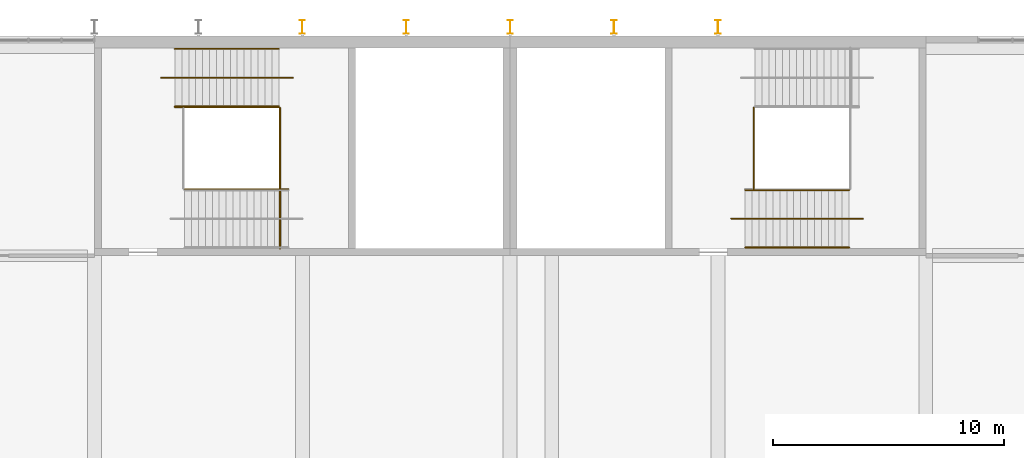
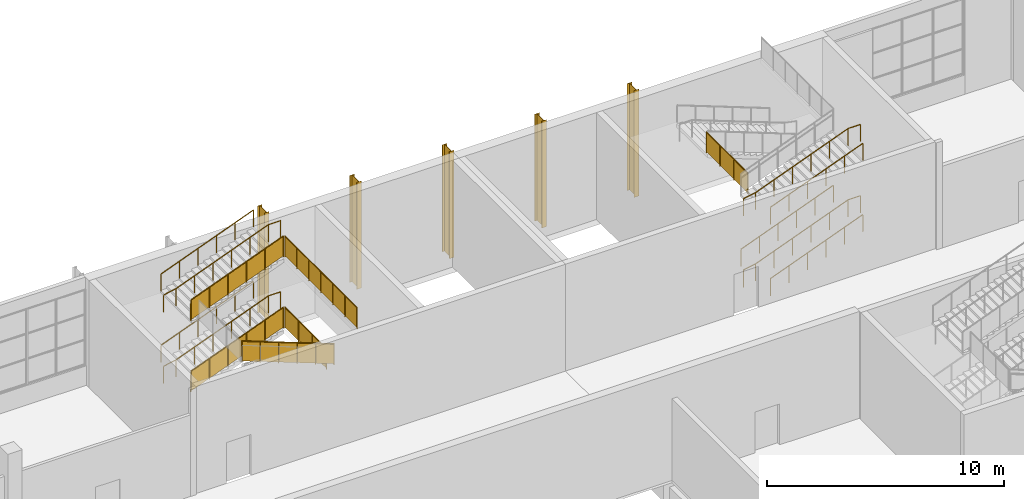
# One storey, part 77 of 84: 17 railings, 5 shading devices.
"""IFC4 building model written with IfcOpenShell, lengths in metres."""

from ifc_helpers import new_model, si_unit, direction, frame, origin, origin_2d, place, context, subcontext, project, spatial, polyline, circle, i_section, outline, extrude, material, material_profile, profile_set, type_object, element, save


model = new_model("IFC4")

# Units and contexts
model_context = context("Model", 3, precision=1e-05, world=origin(), true_north=direction((0.0, 1.0)))
body_context = subcontext(model_context, "Body", "Model", "MODEL_VIEW")
ifc_project = project(units=[si_unit("LENGTHUNIT", "METRE"), si_unit("AREAUNIT", "SQUARE_METRE"), si_unit("VOLUMEUNIT", "CUBIC_METRE"), si_unit("PLANEANGLEUNIT", "RADIAN"), si_unit("MASSUNIT", "GRAM", prefix="KILO")], contexts=[model_context])

# Site, building, storey
site_placement = place(None, origin())
site = spatial("IfcSite", under=ifc_project, at=site_placement, CompositionType="ELEMENT")
building_placement = place(site_placement, origin())
building = spatial("IfcBuilding", under=site, at=building_placement, Name="Silverbay Arena", CompositionType="ELEMENT")
storey_placement = place(building_placement, frame((0.0, 0.0, 28.0)))
storey = spatial("IfcBuildingStorey", under=building, at=storey_placement, Name="L04", CompositionType="ELEMENT", Elevation=28.0)

# Railings
ifc_material_1 = material(Name="Stainless steel", Category="steel")
railing_type_1 = type_object("IfcRailingType", Name="Stair guard 1100", PredefinedType="GUARDRAIL", material=ifc_material_1)
railing_1_placement = place(storey_placement, frame((147.4794921875, 141.425048828125, 0.114501953125)))
element("IfcRailing", 1, at=railing_1_placement, inside=storey, type_object=railing_type_1, Name="Stair ST-N3 L04 to L05 flight 1 guard left", PredefinedType="GUARDRAIL", context=body_context, shape_type="SweptSolid", body=[
    extrude(circle(Radius=0.02392578125, at=origin_2d()), frame((0.0, 0.0, 1.076171875), z_axis=(0.93417907455, 0.0, 0.356804507641), x_axis=(0.0, 1.0, 0.0)), (0.0, 0.0, 1.0), 4.817138671875),
    extrude(outline(polyline([(-0.008056640625, 0.046875), (0.907958984375, 0.396728515625), (0.907958984375, 1.39990234375), (-0.008056640625, 1.050048828125), (-0.008056640625, 0.046875)])), frame((0.0, 0.0029296875, 0.0), z_axis=(0.0, -1.0, 0.0), x_axis=(1.0, 0.0, 0.0)), (0.0, 0.0, 1.0), 0.006103515625),
    extrude(outline(polyline([(-0.008056640625, 0.390625), (0.907958984375, 0.740478515625), (0.907958984375, 1.74365234375), (-0.008056640625, 1.393798828125), (-0.008056640625, 0.390625)])), frame((0.89990234375, 0.0029296875, 0.0), z_axis=(0.0, -1.0, 0.0), x_axis=(1.0, 0.0, 0.0)), (0.0, 0.0, 1.0), 0.006103515625),
    extrude(outline(polyline([(-0.008056640625, 0.734375), (0.907958984375, 1.084228515625), (0.907958984375, 2.08740234375), (-0.008056640625, 1.737548828125), (-0.008056640625, 0.734375)])), frame((1.800048828125, 0.0029296875, 0.0), z_axis=(0.0, -1.0, 0.0), x_axis=(1.0, 0.0, 0.0)), (0.0, 0.0, 1.0), 0.006103515625),
    extrude(outline(polyline([(-0.008056640625, 1.078125), (0.907958984375, 1.427978515625), (0.907958984375, 2.43115234375), (-0.008056640625, 2.081298828125), (-0.008056640625, 1.078125)])), frame((2.699951171875, 0.0029296875, 0.0), z_axis=(0.0, -1.0, 0.0), x_axis=(1.0, 0.0, 0.0)), (0.0, 0.0, 1.0), 0.006103515625),
    extrude(outline(polyline([(-0.008056640625, 1.421875), (0.907958984375, 1.771728515625), (0.907958984375, 2.77490234375), (-0.008056640625, 2.425048828125), (-0.008056640625, 1.421875)])), frame((3.60009765625, 0.0029296875, 0.0), z_axis=(0.0, -1.0, 0.0), x_axis=(1.0, 0.0, 0.0)), (0.0, 0.0, 1.0), 0.006103515625),
    extrude(circle(Radius=0.02099609375, at=origin_2d()), origin(), (0.0, 0.0, 1.0), 1.052001953125),
    extrude(circle(Radius=0.02099609375, at=origin_2d()), frame((0.89990234375, 0.0, 0.34375)), (0.0, 0.0, 1.0), 1.052001953125),
    extrude(circle(Radius=0.02099609375, at=origin_2d()), frame((1.800048828125, 0.0, 0.6875)), (0.0, 0.0, 1.0), 1.052001953125),
    extrude(circle(Radius=0.02099609375, at=origin_2d()), frame((2.699951171875, 0.0, 1.03125)), (0.0, 0.0, 1.0), 1.052001953125),
    extrude(circle(Radius=0.02099609375, at=origin_2d()), frame((3.60009765625, 0.0, 1.375)), (0.0, 0.0, 1.0), 1.052001953125),
    extrude(circle(Radius=0.02099609375, at=origin_2d()), frame((4.5, 0.0, 1.71875)), (0.0, 0.0, 1.0), 1.052001953125),
])
railing_2_placement = place(storey_placement, frame((152.39990234375, 137.875, 1.947998046875)))
element("IfcRailing", 2, at=railing_2_placement, inside=storey, type_object=railing_type_1, Name="Stair ST-N3 L04 to L05 flight 2 guard right", PredefinedType="GUARDRAIL", context=body_context, shape_type="SweptSolid", body=[
    extrude(circle(Radius=0.02392578125, at=origin_2d()), frame((0.0, 0.0, 1.076171875), z_axis=(-0.93417907455, 0.0, 0.356804507641), x_axis=(0.0, -1.0, 0.0)), (0.0, 0.0, 1.0), 4.817138671875),
    extrude(outline(polyline([(-0.008056640625, 0.046875), (0.907958984375, 0.396728515625), (0.907958984375, 1.39990234375), (-0.008056640625, 1.050048828125), (-0.008056640625, 0.046875)])), frame((0.0, -0.0029296875, 0.0), z_axis=(0.0, 1.0, 0.0), x_axis=(-1.0, 0.0, 0.0)), (0.0, 0.0, 1.0), 0.006103515625),
    extrude(outline(polyline([(-0.008056640625, 0.390625), (0.907958984375, 0.740478515625), (0.907958984375, 1.74365234375), (-0.008056640625, 1.393798828125), (-0.008056640625, 0.390625)])), frame((-0.89990234375, -0.0029296875, 0.0), z_axis=(0.0, 1.0, 0.0), x_axis=(-1.0, 0.0, 0.0)), (0.0, 0.0, 1.0), 0.006103515625),
    extrude(outline(polyline([(-0.008056640625, 0.734375), (0.907958984375, 1.084228515625), (0.907958984375, 2.08740234375), (-0.008056640625, 1.737548828125), (-0.008056640625, 0.734375)])), frame((-1.800048828125, -0.0029296875, 0.0), z_axis=(0.0, 1.0, 0.0), x_axis=(-1.0, 0.0, 0.0)), (0.0, 0.0, 1.0), 0.006103515625),
    extrude(outline(polyline([(-0.008056640625, 1.078125), (0.907958984375, 1.427978515625), (0.907958984375, 2.43115234375), (-0.008056640625, 2.081298828125), (-0.008056640625, 1.078125)])), frame((-2.699951171875, -0.0029296875, 0.0), z_axis=(0.0, 1.0, 0.0), x_axis=(-1.0, 0.0, 0.0)), (0.0, 0.0, 1.0), 0.006103515625),
    extrude(outline(polyline([(-0.008056640625, 1.421875), (0.907958984375, 1.771728515625), (0.907958984375, 2.77490234375), (-0.008056640625, 2.425048828125), (-0.008056640625, 1.421875)])), frame((-3.60009765625, -0.0029296875, 0.0), z_axis=(0.0, 1.0, 0.0), x_axis=(-1.0, 0.0, 0.0)), (0.0, 0.0, 1.0), 0.006103515625),
    extrude(circle(Radius=0.02099609375, at=origin_2d()), origin(), (0.0, 0.0, 1.0), 1.052001953125),
    extrude(circle(Radius=0.02099609375, at=origin_2d()), frame((-0.89990234375, 0.0, 0.34375)), (0.0, 0.0, 1.0), 1.052001953125),
    extrude(circle(Radius=0.02099609375, at=origin_2d()), frame((-1.800048828125, 0.0, 0.6875)), (0.0, 0.0, 1.0), 1.052001953125),
    extrude(circle(Radius=0.02099609375, at=origin_2d()), frame((-2.699951171875, 0.0, 1.03125)), (0.0, 0.0, 1.0), 1.052001953125),
    extrude(circle(Radius=0.02099609375, at=origin_2d()), frame((-3.60009765625, 0.0, 1.375)), (0.0, 0.0, 1.0), 1.052001953125),
    extrude(circle(Radius=0.02099609375, at=origin_2d()), frame((-4.5, 0.0, 1.71875)), (0.0, 0.0, 1.0), 1.052001953125),
])
railing_3_placement = place(storey_placement, frame((147.4794921875, 141.425048828125, 3.78125)))
element("IfcRailing", 3, at=railing_3_placement, inside=storey, type_object=railing_type_1, Name="Stair ST-N3 L04 to L05 flight 3 guard left", PredefinedType="GUARDRAIL", context=body_context, shape_type="SweptSolid", body=[
    extrude(circle(Radius=0.02392578125, at=origin_2d()), frame((0.0, 0.0, 1.076171875), z_axis=(0.93417907455, 0.0, 0.356804507641), x_axis=(0.0, 1.0, 0.0)), (0.0, 0.0, 1.0), 4.817138671875),
    extrude(outline(polyline([(-0.008056640625, 0.046875), (0.907958984375, 0.396728515625), (0.907958984375, 1.39990234375), (-0.008056640625, 1.050048828125), (-0.008056640625, 0.046875)])), frame((0.0, 0.0029296875, 0.0), z_axis=(0.0, -1.0, 0.0), x_axis=(1.0, 0.0, 0.0)), (0.0, 0.0, 1.0), 0.006103515625),
    extrude(outline(polyline([(-0.008056640625, 0.390625), (0.907958984375, 0.740478515625), (0.907958984375, 1.74365234375), (-0.008056640625, 1.393798828125), (-0.008056640625, 0.390625)])), frame((0.89990234375, 0.0029296875, 0.0), z_axis=(0.0, -1.0, 0.0), x_axis=(1.0, 0.0, 0.0)), (0.0, 0.0, 1.0), 0.006103515625),
    extrude(outline(polyline([(-0.008056640625, 0.734375), (0.907958984375, 1.084228515625), (0.907958984375, 2.08740234375), (-0.008056640625, 1.737548828125), (-0.008056640625, 0.734375)])), frame((1.800048828125, 0.0029296875, 0.0), z_axis=(0.0, -1.0, 0.0), x_axis=(1.0, 0.0, 0.0)), (0.0, 0.0, 1.0), 0.006103515625),
    extrude(outline(polyline([(-0.008056640625, 1.078125), (0.907958984375, 1.427978515625), (0.907958984375, 2.43115234375), (-0.008056640625, 2.081298828125), (-0.008056640625, 1.078125)])), frame((2.699951171875, 0.0029296875, 0.0), z_axis=(0.0, -1.0, 0.0), x_axis=(1.0, 0.0, 0.0)), (0.0, 0.0, 1.0), 0.006103515625),
    extrude(outline(polyline([(-0.008056640625, 1.421875), (0.907958984375, 1.771728515625), (0.907958984375, 2.77490234375), (-0.008056640625, 2.425048828125), (-0.008056640625, 1.421875)])), frame((3.60009765625, 0.0029296875, 0.0), z_axis=(0.0, -1.0, 0.0), x_axis=(1.0, 0.0, 0.0)), (0.0, 0.0, 1.0), 0.006103515625),
    extrude(circle(Radius=0.02099609375, at=origin_2d()), origin(), (0.0, 0.0, 1.0), 1.052001953125),
    extrude(circle(Radius=0.02099609375, at=origin_2d()), frame((0.89990234375, 0.0, 0.34375)), (0.0, 0.0, 1.0), 1.052001953125),
    extrude(circle(Radius=0.02099609375, at=origin_2d()), frame((1.800048828125, 0.0, 0.6875)), (0.0, 0.0, 1.0), 1.052001953125),
    extrude(circle(Radius=0.02099609375, at=origin_2d()), frame((2.699951171875, 0.0, 1.03125)), (0.0, 0.0, 1.0), 1.052001953125),
    extrude(circle(Radius=0.02099609375, at=origin_2d()), frame((3.60009765625, 0.0, 1.375)), (0.0, 0.0, 1.0), 1.052001953125),
    extrude(circle(Radius=0.02099609375, at=origin_2d()), frame((4.5, 0.0, 1.71875)), (0.0, 0.0, 1.0), 1.052001953125),
])
railing_4_placement = place(storey_placement, frame((152.029541015625, 137.89990234375, 1.833251953125)))
element("IfcRailing", 4, at=railing_4_placement, inside=storey, type_object=railing_type_1, Name="Stair ST-N3 L04 to L05 landing 1 guard", PredefinedType="GUARDRAIL", context=body_context, shape_type="SweptSolid", body=[
    extrude(circle(Radius=0.02392578125, at=origin_2d()), frame((0.0, 0.0, 1.076171875), z_axis=(0.0, 1.0, 0.0), x_axis=(-1.0, 0.0, 0.0)), (0.0, 0.0, 1.0), 3.5),
    extrude(outline(polyline([(-0.008056640625, 0.050048828125), (1.174560546875, 0.050048828125), (1.174560546875, 1.052978515625), (-0.008056640625, 1.052978515625), (-0.008056640625, 0.050048828125)])), frame((-0.0029296875, 0.0, 0.0), z_axis=(1.0, 0.0, 0.0), x_axis=(0.0, 1.0, 0.0)), (0.0, 0.0, 1.0), 0.006103515625),
    extrude(outline(polyline([(-0.008056640625, 0.050048828125), (1.174560546875, 0.050048828125), (1.174560546875, 1.052978515625), (-0.008056640625, 1.052978515625), (-0.008056640625, 0.050048828125)])), frame((-0.0029296875, 1.166748046875, 0.0), z_axis=(1.0, 0.0, 0.0), x_axis=(0.0, 1.0, 0.0)), (0.0, 0.0, 1.0), 0.006103515625),
    extrude(outline(polyline([(-0.008056640625, 0.050048828125), (1.174560546875, 0.050048828125), (1.174560546875, 1.052978515625), (-0.008056640625, 1.052978515625), (-0.008056640625, 0.050048828125)])), frame((-0.0029296875, 2.333251953125, 0.0), z_axis=(1.0, 0.0, 0.0), x_axis=(0.0, 1.0, 0.0)), (0.0, 0.0, 1.0), 0.006103515625),
    extrude(circle(Radius=0.02099609375, at=origin_2d()), origin(), (0.0, 0.0, 1.0), 1.052001953125),
    extrude(circle(Radius=0.02099609375, at=origin_2d()), frame((0.0, 1.166748046875, 0.0)), (0.0, 0.0, 1.0), 1.052001953125),
    extrude(circle(Radius=0.02099609375, at=origin_2d()), frame((0.0, 2.333251953125, 0.0)), (0.0, 0.0, 1.0), 1.052001953125),
    extrude(circle(Radius=0.02099609375, at=origin_2d()), frame((0.0, 3.5, 0.0)), (0.0, 0.0, 1.0), 1.052001953125),
])
railing_5_placement = place(storey_placement, frame((152.029541015625, 141.39990234375, 5.5)))
element("IfcRailing", 5, at=railing_5_placement, inside=storey, type_object=railing_type_1, Name="Stair ST-N3 L04 to L05 landing 3 guard", PredefinedType="GUARDRAIL", context=body_context, shape_type="SweptSolid", body=[
    extrude(circle(Radius=0.02392578125, at=origin_2d()), frame((0.0, 0.0, 1.076171875), z_axis=(0.0, -1.0, 0.0), x_axis=(1.0, 0.0, 0.0)), (0.0, 0.0, 1.0), 6.099853515625),
    extrude(outline(polyline([(-0.008056640625, 0.050048828125), (1.024658203125, 0.050048828125), (1.024658203125, 1.052978515625), (-0.008056640625, 1.052978515625), (-0.008056640625, 0.050048828125)])), frame((0.0029296875, 0.0, 0.0), z_axis=(-1.0, 0.0, 0.0), x_axis=(0.0, -1.0, 0.0)), (0.0, 0.0, 1.0), 0.006103515625),
    extrude(outline(polyline([(-0.008056640625, 0.050048828125), (1.024658203125, 0.050048828125), (1.024658203125, 1.052978515625), (-0.008056640625, 1.052978515625), (-0.008056640625, 0.050048828125)])), frame((0.0029296875, -1.0166015625, 0.0), z_axis=(-1.0, 0.0, 0.0), x_axis=(0.0, -1.0, 0.0)), (0.0, 0.0, 1.0), 0.006103515625),
    extrude(outline(polyline([(-0.008056640625, 0.050048828125), (1.024658203125, 0.050048828125), (1.024658203125, 1.052978515625), (-0.008056640625, 1.052978515625), (-0.008056640625, 0.050048828125)])), frame((0.0029296875, -2.033203125, 0.0), z_axis=(-1.0, 0.0, 0.0), x_axis=(0.0, -1.0, 0.0)), (0.0, 0.0, 1.0), 0.006103515625),
    extrude(outline(polyline([(-0.008056640625, 0.050048828125), (1.024658203125, 0.050048828125), (1.024658203125, 1.052978515625), (-0.008056640625, 1.052978515625), (-0.008056640625, 0.050048828125)])), frame((0.0029296875, -3.0498046875, 0.0), z_axis=(-1.0, 0.0, 0.0), x_axis=(0.0, -1.0, 0.0)), (0.0, 0.0, 1.0), 0.006103515625),
    extrude(outline(polyline([(-0.008056640625, 0.050048828125), (1.024658203125, 0.050048828125), (1.024658203125, 1.052978515625), (-0.008056640625, 1.052978515625), (-0.008056640625, 0.050048828125)])), frame((0.0029296875, -4.066650390625, 0.0), z_axis=(-1.0, 0.0, 0.0), x_axis=(0.0, -1.0, 0.0)), (0.0, 0.0, 1.0), 0.006103515625),
    extrude(outline(polyline([(-0.008056640625, 0.050048828125), (1.024658203125, 0.050048828125), (1.024658203125, 1.052978515625), (-0.008056640625, 1.052978515625), (-0.008056640625, 0.050048828125)])), frame((0.0029296875, -5.083251953125, 0.0), z_axis=(-1.0, 0.0, 0.0), x_axis=(0.0, -1.0, 0.0)), (0.0, 0.0, 1.0), 0.006103515625),
    extrude(circle(Radius=0.02099609375, at=origin_2d()), origin(), (0.0, 0.0, 1.0), 1.052001953125),
    extrude(circle(Radius=0.02099609375, at=origin_2d()), frame((0.0, -1.0166015625, 0.0)), (0.0, 0.0, 1.0), 1.052001953125),
    extrude(circle(Radius=0.02099609375, at=origin_2d()), frame((0.0, -2.033203125, 0.0)), (0.0, 0.0, 1.0), 1.052001953125),
    extrude(circle(Radius=0.02099609375, at=origin_2d()), frame((0.0, -3.0498046875, 0.0)), (0.0, 0.0, 1.0), 1.052001953125),
    extrude(circle(Radius=0.02099609375, at=origin_2d()), frame((0.0, -4.066650390625, 0.0)), (0.0, 0.0, 1.0), 1.052001953125),
    extrude(circle(Radius=0.02099609375, at=origin_2d()), frame((0.0, -5.083251953125, 0.0)), (0.0, 0.0, 1.0), 1.052001953125),
    extrude(circle(Radius=0.02099609375, at=origin_2d()), frame((0.0, -6.099853515625, 0.0)), (0.0, 0.0, 1.0), 1.052001953125),
])
railing_6_placement = place(storey_placement, frame((172.550048828125, 137.89990234375, 3.666748046875)))
element("IfcRailing", 6, at=railing_6_placement, inside=storey, type_object=railing_type_1, Name="Stair ST-N4 L04 to L05 landing 2 guard", PredefinedType="GUARDRAIL", context=body_context, shape_type="SweptSolid", body=[
    extrude(circle(Radius=0.02392578125, at=origin_2d()), frame((0.0, 0.0, 1.076171875), z_axis=(0.0, 1.0, 0.0), x_axis=(-1.0, 0.0, 0.0)), (0.0, 0.0, 1.0), 3.5),
    extrude(outline(polyline([(-0.008056640625, 0.050048828125), (1.174560546875, 0.050048828125), (1.174560546875, 1.052978515625), (-0.008056640625, 1.052978515625), (-0.008056640625, 0.050048828125)])), frame((-0.0029296875, 0.0, 0.0), z_axis=(1.0, 0.0, 0.0), x_axis=(0.0, 1.0, 0.0)), (0.0, 0.0, 1.0), 0.006103515625),
    extrude(outline(polyline([(-0.008056640625, 0.050048828125), (1.174560546875, 0.050048828125), (1.174560546875, 1.052978515625), (-0.008056640625, 1.052978515625), (-0.008056640625, 0.050048828125)])), frame((-0.0029296875, 1.166748046875, 0.0), z_axis=(1.0, 0.0, 0.0), x_axis=(0.0, 1.0, 0.0)), (0.0, 0.0, 1.0), 0.006103515625),
    extrude(outline(polyline([(-0.008056640625, 0.050048828125), (1.174560546875, 0.050048828125), (1.174560546875, 1.052978515625), (-0.008056640625, 1.052978515625), (-0.008056640625, 0.050048828125)])), frame((-0.0029296875, 2.333251953125, 0.0), z_axis=(1.0, 0.0, 0.0), x_axis=(0.0, 1.0, 0.0)), (0.0, 0.0, 1.0), 0.006103515625),
    extrude(circle(Radius=0.02099609375, at=origin_2d()), origin(), (0.0, 0.0, 1.0), 1.052001953125),
    extrude(circle(Radius=0.02099609375, at=origin_2d()), frame((0.0, 1.166748046875, 0.0)), (0.0, 0.0, 1.0), 1.052001953125),
    extrude(circle(Radius=0.02099609375, at=origin_2d()), frame((0.0, 2.333251953125, 0.0)), (0.0, 0.0, 1.0), 1.052001953125),
    extrude(circle(Radius=0.02099609375, at=origin_2d()), frame((0.0, 3.5, 0.0)), (0.0, 0.0, 1.0), 1.052001953125),
])
ifc_material_2 = material(Name="Stainless steel", Category="steel")
railing_type_2 = type_object("IfcRailingType", Name="Stair handrail 900", PredefinedType="HANDRAIL", material=ifc_material_2)
for number, where, name in (
    (7, (147.4794921875, 141.464111328125, 0.114501953125), "Stair ST-N3 L04 to L05 flight 1 handrail left"),
    (8, (147.4794921875, 143.949951171875, 0.114501953125), "Stair ST-N3 L04 to L05 flight 1 handrail right"),
):
    element("IfcRailing", number, at=place(storey_placement, frame(where)), inside=storey, type_object=railing_type_2, Name=name, PredefinedType="HANDRAIL", context=body_context, shape_type="SweptSolid", body=[
        extrude(circle(Radius=0.02392578125, at=origin_2d()), frame((0.0, 0.0, 0.8759765625), z_axis=(0.93417907455, 0.0, 0.356804507641), x_axis=(0.0, 1.0, 0.0)), (0.0, 0.0, 1.0), 4.817138671875),
        extrude(circle(Radius=0.02099609375, at=origin_2d()), origin(), (0.0, 0.0, 1.0), 0.851806640625),
        extrude(circle(Radius=0.02099609375, at=origin_2d()), frame((0.89990234375, 0.0, 0.34375)), (0.0, 0.0, 1.0), 0.851806640625),
        extrude(circle(Radius=0.02099609375, at=origin_2d()), frame((1.800048828125, 0.0, 0.6875)), (0.0, 0.0, 1.0), 0.851806640625),
        extrude(circle(Radius=0.02099609375, at=origin_2d()), frame((2.699951171875, 0.0, 1.03125)), (0.0, 0.0, 1.0), 0.851806640625),
        extrude(circle(Radius=0.02099609375, at=origin_2d()), frame((3.60009765625, 0.0, 1.375)), (0.0, 0.0, 1.0), 0.851806640625),
        extrude(circle(Radius=0.02099609375, at=origin_2d()), frame((4.5, 0.0, 1.71875)), (0.0, 0.0, 1.0), 0.851806640625),
    ])
railing_7_placement = place(storey_placement, frame((146.879638671875, 142.699951171875, 0.0)))
element("IfcRailing", 9, at=railing_7_placement, inside=storey, type_object=railing_type_2, Name="Stair ST-N3 L04 to L05 flight 1 central handrail", PredefinedType="HANDRAIL", context=body_context, shape_type="SweptSolid", body=[
    extrude(circle(Radius=0.02392578125, at=origin_2d()), frame((0.0, 0.0, 0.8759765625), z_axis=(0.982265007716, 0.0, 0.187497878966), x_axis=(0.0, 1.0, 0.0)), (0.0, 0.0, 1.0), 0.610595703125),
    extrude(circle(Radius=0.02392578125, at=origin_2d()), frame((0.599853515625, 0.0, 0.990234375), z_axis=(0.93417907455, 0.0, 0.356804507641), x_axis=(0.0, 1.0, 0.0)), (0.0, 0.0, 1.0), 4.817138671875),
    extrude(circle(Radius=0.02392578125, at=origin_2d()), frame((5.099853515625, 0.0, 2.708984375), z_axis=(1.0, 0.0, 0.0), x_axis=(0.0, 1.0, 0.0)), (0.0, 0.0, 1.0), 0.60009765625),
    extrude(circle(Radius=0.02099609375, at=origin_2d()), origin(), (0.0, 0.0, 1.0), 0.851806640625),
    extrude(circle(Radius=0.02099609375, at=origin_2d()), frame((0.599853515625, 0.0, 0.114501953125)), (0.0, 0.0, 1.0), 0.851806640625),
    extrude(circle(Radius=0.02099609375, at=origin_2d()), frame((1.499755859375, 0.0, 0.458251953125)), (0.0, 0.0, 1.0), 0.851806640625),
    extrude(circle(Radius=0.02099609375, at=origin_2d()), frame((2.39990234375, 0.0, 0.802001953125)), (0.0, 0.0, 1.0), 0.851806640625),
    extrude(circle(Radius=0.02099609375, at=origin_2d()), frame((3.2998046875, 0.0, 1.145751953125)), (0.0, 0.0, 1.0), 0.851806640625),
    extrude(circle(Radius=0.02099609375, at=origin_2d()), frame((4.199951171875, 0.0, 1.489501953125)), (0.0, 0.0, 1.0), 0.851806640625),
    extrude(circle(Radius=0.02099609375, at=origin_2d()), frame((5.099853515625, 0.0, 1.833251953125)), (0.0, 0.0, 1.0), 0.851806640625),
    extrude(circle(Radius=0.02099609375, at=origin_2d()), frame((5.699951171875, 0.0, 1.833251953125)), (0.0, 0.0, 1.0), 0.851806640625),
])
for number, where, name in (
    (10, (147.4794921875, 141.464111328125, 3.78125), "Stair ST-N3 L04 to L05 flight 3 handrail left"),
    (11, (147.4794921875, 143.949951171875, 3.78125), "Stair ST-N3 L04 to L05 flight 3 handrail right"),
):
    element("IfcRailing", number, at=place(storey_placement, frame(where)), inside=storey, type_object=railing_type_2, Name=name, PredefinedType="HANDRAIL", context=body_context, shape_type="SweptSolid", body=[
        extrude(circle(Radius=0.02392578125, at=origin_2d()), frame((0.0, 0.0, 0.8759765625), z_axis=(0.93417907455, 0.0, 0.356804507641), x_axis=(0.0, 1.0, 0.0)), (0.0, 0.0, 1.0), 4.817138671875),
        extrude(circle(Radius=0.02099609375, at=origin_2d()), origin(), (0.0, 0.0, 1.0), 0.851806640625),
        extrude(circle(Radius=0.02099609375, at=origin_2d()), frame((0.89990234375, 0.0, 0.34375)), (0.0, 0.0, 1.0), 0.851806640625),
        extrude(circle(Radius=0.02099609375, at=origin_2d()), frame((1.800048828125, 0.0, 0.6875)), (0.0, 0.0, 1.0), 0.851806640625),
        extrude(circle(Radius=0.02099609375, at=origin_2d()), frame((2.699951171875, 0.0, 1.03125)), (0.0, 0.0, 1.0), 0.851806640625),
        extrude(circle(Radius=0.02099609375, at=origin_2d()), frame((3.60009765625, 0.0, 1.375)), (0.0, 0.0, 1.0), 0.851806640625),
        extrude(circle(Radius=0.02099609375, at=origin_2d()), frame((4.5, 0.0, 1.71875)), (0.0, 0.0, 1.0), 0.851806640625),
    ])
railing_8_placement = place(storey_placement, frame((146.879638671875, 142.699951171875, 3.666748046875)))
element("IfcRailing", 12, at=railing_8_placement, inside=storey, type_object=railing_type_2, Name="Stair ST-N3 L04 to L05 flight 3 central handrail", PredefinedType="HANDRAIL", context=body_context, shape_type="SweptSolid", body=[
    extrude(circle(Radius=0.02392578125, at=origin_2d()), frame((0.0, 0.0, 0.8759765625), z_axis=(0.982265007716, 0.0, 0.187497878966), x_axis=(0.0, 1.0, 0.0)), (0.0, 0.0, 1.0), 0.610595703125),
    extrude(circle(Radius=0.02392578125, at=origin_2d()), frame((0.599853515625, 0.0, 0.990234375), z_axis=(0.93417907455, 0.0, 0.356804507641), x_axis=(0.0, 1.0, 0.0)), (0.0, 0.0, 1.0), 4.817138671875),
    extrude(circle(Radius=0.02392578125, at=origin_2d()), frame((5.099853515625, 0.0, 2.708984375), z_axis=(1.0, 0.0, 0.0), x_axis=(0.0, 1.0, 0.0)), (0.0, 0.0, 1.0), 0.60009765625),
    extrude(circle(Radius=0.02099609375, at=origin_2d()), origin(), (0.0, 0.0, 1.0), 0.851806640625),
    extrude(circle(Radius=0.02099609375, at=origin_2d()), frame((0.599853515625, 0.0, 0.114501953125)), (0.0, 0.0, 1.0), 0.851806640625),
    extrude(circle(Radius=0.02099609375, at=origin_2d()), frame((1.499755859375, 0.0, 0.458251953125)), (0.0, 0.0, 1.0), 0.851806640625),
    extrude(circle(Radius=0.02099609375, at=origin_2d()), frame((2.39990234375, 0.0, 0.802001953125)), (0.0, 0.0, 1.0), 0.851806640625),
    extrude(circle(Radius=0.02099609375, at=origin_2d()), frame((3.2998046875, 0.0, 1.145751953125)), (0.0, 0.0, 1.0), 0.851806640625),
    extrude(circle(Radius=0.02099609375, at=origin_2d()), frame((4.199951171875, 0.0, 1.489501953125)), (0.0, 0.0, 1.0), 0.851806640625),
    extrude(circle(Radius=0.02099609375, at=origin_2d()), frame((5.099853515625, 0.0, 1.833251953125)), (0.0, 0.0, 1.0), 0.851806640625),
    extrude(circle(Radius=0.02099609375, at=origin_2d()), frame((5.699951171875, 0.0, 1.833251953125)), (0.0, 0.0, 1.0), 0.851806640625),
])
for number, where, name in (
    (13, (172.1796875, 135.35009765625, 0.114501953125), "Stair ST-N4 L04 to L05 flight 1 handrail left"),
    (14, (172.1796875, 137.8359375, 0.114501953125), "Stair ST-N4 L04 to L05 flight 1 handrail right"),
):
    element("IfcRailing", number, at=place(storey_placement, frame(where)), inside=storey, type_object=railing_type_2, Name=name, PredefinedType="HANDRAIL", context=body_context, shape_type="SweptSolid", body=[
        extrude(circle(Radius=0.02392578125, at=origin_2d()), frame((0.0, 0.0, 0.8759765625), z_axis=(0.93417907455, 0.0, 0.356804507641), x_axis=(0.0, 1.0, 0.0)), (0.0, 0.0, 1.0), 4.817138671875),
        extrude(circle(Radius=0.02099609375, at=origin_2d()), origin(), (0.0, 0.0, 1.0), 0.851806640625),
        extrude(circle(Radius=0.02099609375, at=origin_2d()), frame((0.89990234375, 0.0, 0.34375)), (0.0, 0.0, 1.0), 0.851806640625),
        extrude(circle(Radius=0.02099609375, at=origin_2d()), frame((1.800048828125, 0.0, 0.6875)), (0.0, 0.0, 1.0), 0.851806640625),
        extrude(circle(Radius=0.02099609375, at=origin_2d()), frame((2.699951171875, 0.0, 1.03125)), (0.0, 0.0, 1.0), 0.851806640625),
        extrude(circle(Radius=0.02099609375, at=origin_2d()), frame((3.60009765625, 0.0, 1.375)), (0.0, 0.0, 1.0), 0.851806640625),
        extrude(circle(Radius=0.02099609375, at=origin_2d()), frame((4.5, 0.0, 1.71875)), (0.0, 0.0, 1.0), 0.851806640625),
    ])
railing_9_placement = place(storey_placement, frame((171.57958984375, 136.60009765625, 0.0)))
element("IfcRailing", 15, at=railing_9_placement, inside=storey, type_object=railing_type_2, Name="Stair ST-N4 L04 to L05 flight 1 central handrail", PredefinedType="HANDRAIL", context=body_context, shape_type="SweptSolid", body=[
    extrude(circle(Radius=0.02392578125, at=origin_2d()), frame((0.0, 0.0, 0.8759765625), z_axis=(0.982279053969, 0.0, 0.187424278402), x_axis=(0.0, 1.0, 0.0)), (0.0, 0.0, 1.0), 0.61083984375),
    extrude(circle(Radius=0.02392578125, at=origin_2d()), frame((0.60009765625, 0.0, 0.990234375), z_axis=(0.93417907455, 0.0, 0.356804507641), x_axis=(0.0, 1.0, 0.0)), (0.0, 0.0, 1.0), 4.817138671875),
    extrude(circle(Radius=0.02392578125, at=origin_2d()), frame((5.10009765625, 0.0, 2.708984375), z_axis=(1.0, 0.0, 0.0), x_axis=(0.0, 1.0, 0.0)), (0.0, 0.0, 1.0), 0.599853515625),
    extrude(circle(Radius=0.02099609375, at=origin_2d()), origin(), (0.0, 0.0, 1.0), 0.851806640625),
    extrude(circle(Radius=0.02099609375, at=origin_2d()), frame((0.60009765625, 0.0, 0.114501953125)), (0.0, 0.0, 1.0), 0.851806640625),
    extrude(circle(Radius=0.02099609375, at=origin_2d()), frame((1.5, 0.0, 0.458251953125)), (0.0, 0.0, 1.0), 0.851806640625),
    extrude(circle(Radius=0.02099609375, at=origin_2d()), frame((2.400146484375, 0.0, 0.802001953125)), (0.0, 0.0, 1.0), 0.851806640625),
    extrude(circle(Radius=0.02099609375, at=origin_2d()), frame((3.300048828125, 0.0, 1.145751953125)), (0.0, 0.0, 1.0), 0.851806640625),
    extrude(circle(Radius=0.02099609375, at=origin_2d()), frame((4.2001953125, 0.0, 1.489501953125)), (0.0, 0.0, 1.0), 0.851806640625),
    extrude(circle(Radius=0.02099609375, at=origin_2d()), frame((5.10009765625, 0.0, 1.833251953125)), (0.0, 0.0, 1.0), 0.851806640625),
    extrude(circle(Radius=0.02099609375, at=origin_2d()), frame((5.699951171875, 0.0, 1.833251953125)), (0.0, 0.0, 1.0), 0.851806640625),
])
railing_10_placement = place(storey_placement, frame((172.1796875, 135.35009765625, 3.78125)))
element("IfcRailing", 16, at=railing_10_placement, inside=storey, type_object=railing_type_2, Name="Stair ST-N4 L04 to L05 flight 3 handrail left", PredefinedType="HANDRAIL", context=body_context, shape_type="SweptSolid", body=[
    extrude(circle(Radius=0.02392578125, at=origin_2d()), frame((0.0, 0.0, 0.8759765625), z_axis=(0.93417907455, 0.0, 0.356804507641), x_axis=(0.0, 1.0, 0.0)), (0.0, 0.0, 1.0), 4.817138671875),
    extrude(circle(Radius=0.02099609375, at=origin_2d()), origin(), (0.0, 0.0, 1.0), 0.851806640625),
    extrude(circle(Radius=0.02099609375, at=origin_2d()), frame((0.89990234375, 0.0, 0.34375)), (0.0, 0.0, 1.0), 0.851806640625),
    extrude(circle(Radius=0.02099609375, at=origin_2d()), frame((1.800048828125, 0.0, 0.6875)), (0.0, 0.0, 1.0), 0.851806640625),
    extrude(circle(Radius=0.02099609375, at=origin_2d()), frame((2.699951171875, 0.0, 1.03125)), (0.0, 0.0, 1.0), 0.851806640625),
    extrude(circle(Radius=0.02099609375, at=origin_2d()), frame((3.60009765625, 0.0, 1.375)), (0.0, 0.0, 1.0), 0.851806640625),
    extrude(circle(Radius=0.02099609375, at=origin_2d()), frame((4.5, 0.0, 1.71875)), (0.0, 0.0, 1.0), 0.851806640625),
])
railing_11_placement = place(storey_placement, frame((171.57958984375, 136.60009765625, 3.666748046875)))
element("IfcRailing", 17, at=railing_11_placement, inside=storey, type_object=railing_type_2, Name="Stair ST-N4 L04 to L05 flight 3 central handrail", PredefinedType="HANDRAIL", context=body_context, shape_type="SweptSolid", body=[
    extrude(circle(Radius=0.02392578125, at=origin_2d()), frame((0.0, 0.0, 0.8759765625), z_axis=(0.982279053969, 0.0, 0.187424278402), x_axis=(0.0, 1.0, 0.0)), (0.0, 0.0, 1.0), 0.61083984375),
    extrude(circle(Radius=0.02392578125, at=origin_2d()), frame((0.60009765625, 0.0, 0.990234375), z_axis=(0.93417907455, 0.0, 0.356804507641), x_axis=(0.0, 1.0, 0.0)), (0.0, 0.0, 1.0), 4.817138671875),
    extrude(circle(Radius=0.02392578125, at=origin_2d()), frame((5.10009765625, 0.0, 2.708984375), z_axis=(1.0, 0.0, 0.0), x_axis=(0.0, 1.0, 0.0)), (0.0, 0.0, 1.0), 0.599853515625),
    extrude(circle(Radius=0.02099609375, at=origin_2d()), origin(), (0.0, 0.0, 1.0), 0.851806640625),
    extrude(circle(Radius=0.02099609375, at=origin_2d()), frame((0.60009765625, 0.0, 0.114501953125)), (0.0, 0.0, 1.0), 0.851806640625),
    extrude(circle(Radius=0.02099609375, at=origin_2d()), frame((1.5, 0.0, 0.458251953125)), (0.0, 0.0, 1.0), 0.851806640625),
    extrude(circle(Radius=0.02099609375, at=origin_2d()), frame((2.400146484375, 0.0, 0.802001953125)), (0.0, 0.0, 1.0), 0.851806640625),
    extrude(circle(Radius=0.02099609375, at=origin_2d()), frame((3.300048828125, 0.0, 1.145751953125)), (0.0, 0.0, 1.0), 0.851806640625),
    extrude(circle(Radius=0.02099609375, at=origin_2d()), frame((4.2001953125, 0.0, 1.489501953125)), (0.0, 0.0, 1.0), 0.851806640625),
    extrude(circle(Radius=0.02099609375, at=origin_2d()), frame((5.10009765625, 0.0, 1.833251953125)), (0.0, 0.0, 1.0), 0.851806640625),
    extrude(circle(Radius=0.02099609375, at=origin_2d()), frame((5.699951171875, 0.0, 1.833251953125)), (0.0, 0.0, 1.0), 0.851806640625),
])

# Shading devices
ifc_material_3 = material(Name="Steel S355", Category="steel")
ifc_material_profile = material_profile(ifc_material_3, i_section(OverallWidth=0.2275390625, OverallDepth=0.6025390625, WebThickness=0.010498046875, FlangeThickness=0.014892578125, at=origin_2d()), Name="UB 610x229x101")
ifc_profile_set = profile_set([ifc_material_profile], Name="Steel S355")
shading_device_type = type_object("IfcShadingDeviceType", Name="Steel fin UB 610x229x101", PredefinedType="USERDEFINED", material=ifc_profile_set)
for number, where, z_axis, x_axis, name in (
    (18, (153.0, 144.9013671875, 0.0), (0.0, 0.0, 1.0), (1.0, 0.0, 0.0), "Steel fin N L04 22"),
    (19, (157.5, 144.9013671875, 0.0), (0.0, 0.0, 1.0), (1.0, 0.0, 0.0), "Steel fin N L04 23"),
    (20, (162.0, 144.9013671875, 0.0), (0.0, 0.0, 1.0), (1.0, 0.0, 0.0), "Steel fin N L04 24"),
    (21, (166.5, 144.9013671875, 0.0), (0.0, 0.0, 1.0), (1.0, 0.0, 0.0), "Steel fin N L04 25"),
    (22, (171.0, 144.9013671875, 0.0), (0.0, 0.0, 1.0), (1.0, 0.0, 0.0), "Steel fin N L04 26"),
):
    element("IfcShadingDevice", number, at=place(storey_placement, frame(where, z_axis=z_axis, x_axis=x_axis)), inside=storey, type_object=shading_device_type, Name=name, ObjectType="FIN", PredefinedType="USERDEFINED", context=body_context, shape_type="SweptSolid", body=[
        extrude(i_section(OverallWidth=0.2275390625, OverallDepth=0.6025390625, WebThickness=0.010498046875, FlangeThickness=0.014892578125, at=origin_2d()), origin(), (0.0, 0.0, 1.0), 5.5),
    ])

save(model, "model.ifc")
